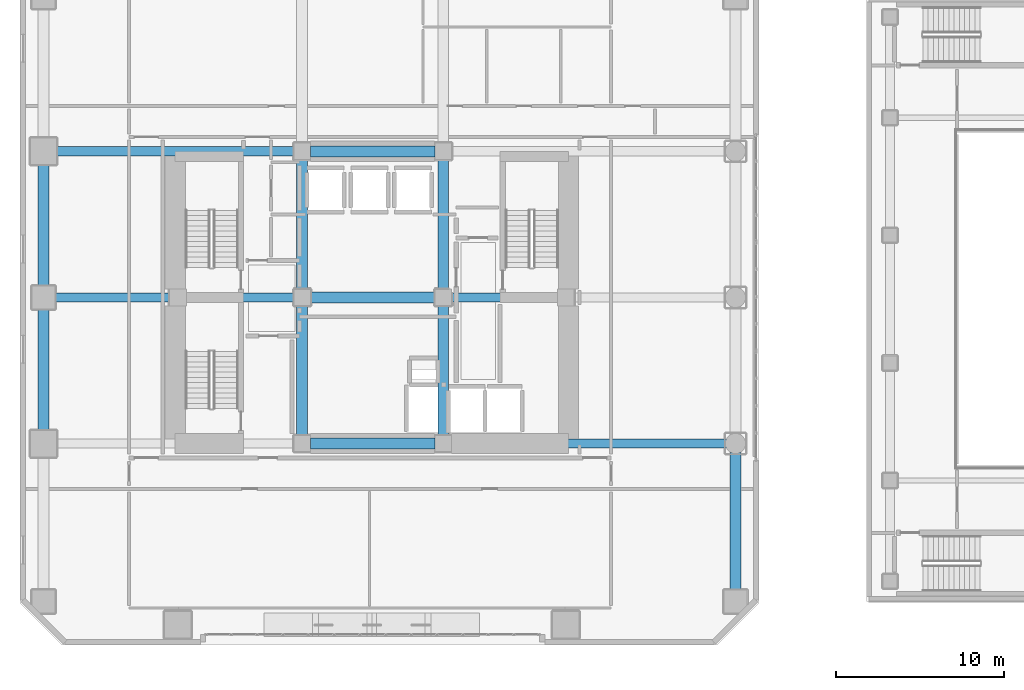
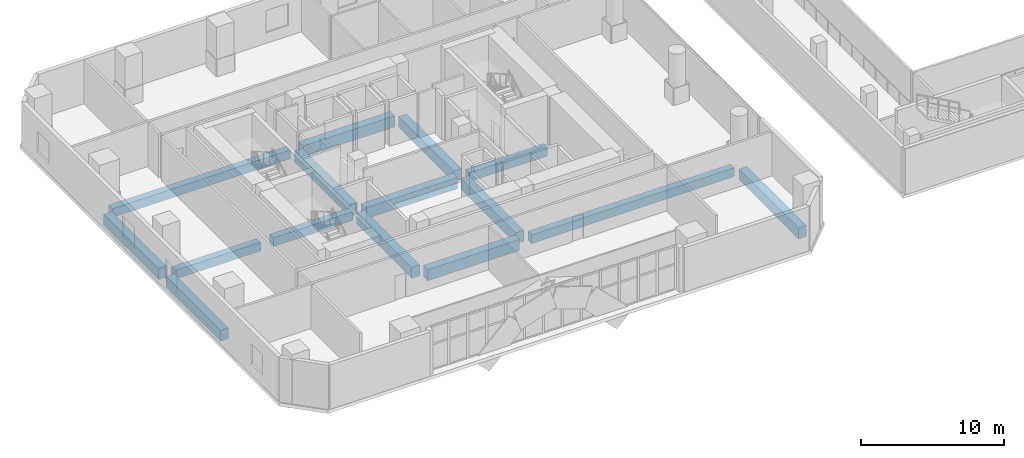
# One storey, part 6 of 22: 15 beams.
"""IFC4 building model written with IfcOpenShell, lengths in metres."""

from ifc_helpers import new_model, si_unit, direction, frame, origin, origin_2d, place, context, subcontext, project, spatial, rectangle, extrude, material, material_profile, profile_set, type_object, element, save


model = new_model("IFC4")

# Units and contexts
model_context = context("Model", 3, precision=1e-05, world=origin(), true_north=direction((0.0, 1.0)))
body_context = subcontext(model_context, "Body", "Model", "MODEL_VIEW")
ifc_project = project(units=[si_unit("LENGTHUNIT", "METRE"), si_unit("AREAUNIT", "SQUARE_METRE"), si_unit("VOLUMEUNIT", "CUBIC_METRE"), si_unit("PLANEANGLEUNIT", "RADIAN"), si_unit("MASSUNIT", "GRAM", prefix="KILO")], contexts=[model_context])

# Site, building, storey
site_placement = place(None, origin())
site = spatial("IfcSite", under=ifc_project, at=site_placement, CompositionType="ELEMENT")
building_placement = place(site_placement, origin())
building = spatial("IfcBuilding", under=site, at=building_placement, Name="Solanera Arch Residences", CompositionType="ELEMENT")
storey_placement = place(building_placement, frame((0.0, 0.0, 13.60009765625)))
storey = spatial("IfcBuildingStorey", under=building, at=storey_placement, Name="L03", CompositionType="ELEMENT", Elevation=13.60009765625)

# Beams
ifc_material_1 = material(Name="Concrete C40/50 (f'c = 45 MPa)", Category="concrete")
ifc_material_profile_1 = material_profile(ifc_material_1, rectangle(XDim=0.550048828125, YDim=0.75, at=origin_2d()))
ifc_profile_set_1 = profile_set([ifc_material_profile_1], Name="Concrete C40/50 (f'c = 45 MPa)")
beam_type_1 = type_object("IfcBeamType", Name="Primary Beam RC-BM-550X750", PredefinedType="BEAM", material=ifc_profile_set_1)
beam_1_placement = place(storey_placement, frame((29.7041015625, 22.0, -0.655029296875), z_axis=(1.0, 0.0, 0.0), x_axis=(0.0, 1.0, 0.0)))
element("IfcBeam", 1, at=beam_1_placement, inside=storey, type_object=beam_type_1, Name="BM-L03-POD-RE-22", PredefinedType="BEAM", context=body_context, shape_type="SweptSolid", body=[
    extrude(rectangle(XDim=0.550048828125, YDim=0.75, at=origin_2d()), origin(), (0.0, 0.0, 1.0), 16.35595703125),
])
beam_2_placement = place(storey_placement, frame((5.93994140625, 30.699951171875, -0.655029296875), z_axis=(1.0, 0.0, 0.0), x_axis=(0.0, 1.0, 0.0)))
element("IfcBeam", 2, at=beam_2_placement, inside=storey, type_object=beam_type_1, Name="BM-L03-POD-RW-30", PredefinedType="BEAM", context=body_context, shape_type="SweptSolid", body=[
    extrude(rectangle(XDim=0.550048828125, YDim=0.75, at=origin_2d()), origin(), (0.0, 0.0, 1.0), 6.9560546875),
])
beam_3_placement = place(storey_placement, frame((5.93994140625, 39.39990234375, -0.655029296875), z_axis=(1.0, 0.0, 0.0), x_axis=(0.0, 1.0, 0.0)))
element("IfcBeam", 3, at=beam_3_placement, inside=storey, type_object=beam_type_1, Name="BM-L03-POD-RW-39", PredefinedType="BEAM", context=body_context, shape_type="SweptSolid", body=[
    extrude(rectangle(XDim=0.550048828125, YDim=0.75, at=origin_2d()), origin(), (0.0, 0.0, 1.0), 14.35595703125),
])
beam_4_placement = place(storey_placement, frame((13.904052734375, 30.699951171875, -0.655029296875), z_axis=(1.0, 0.0, 0.0), x_axis=(0.0, 1.0, 0.0)))
element("IfcBeam", 4, at=beam_4_placement, inside=storey, type_object=beam_type_1, Name="BM-L03-HCCW", PredefinedType="BEAM", context=body_context, shape_type="SweptSolid", body=[
    extrude(rectangle(XDim=0.550048828125, YDim=0.75, at=origin_2d()), origin(), (0.0, 0.0, 1.0), 6.391845703125),
])
beam_5_placement = place(storey_placement, frame((29.7041015625, 30.699951171875, -0.655029296875), z_axis=(1.0, 0.0, 0.0), x_axis=(0.0, 1.0, 0.0)))
element("IfcBeam", 5, at=beam_5_placement, inside=storey, type_object=beam_type_1, Name="BM-L03-HCCE", PredefinedType="BEAM", context=body_context, shape_type="SweptSolid", body=[
    extrude(rectangle(XDim=0.550048828125, YDim=0.75, at=origin_2d()), origin(), (0.0, 0.0, 1.0), 6.2919921875),
])
ifc_material_2 = material(Name="Concrete C40/50 (f'c = 45 MPa)", Category="concrete")
ifc_material_profile_2 = material_profile(ifc_material_2, rectangle(XDim=0.64990234375, YDim=0.949951171875, at=origin_2d()))
ifc_profile_set_2 = profile_set([ifc_material_profile_2], Name="Concrete C40/50 (f'c = 45 MPa)")
beam_type_2 = type_object("IfcBeamType", Name="Primary Beam RC-BM-650X950", PredefinedType="BEAM", material=ifc_profile_set_2)
beam_6_placement = place(storey_placement, frame((5.39990234375, 22.5400390625, -0.755126953125), z_axis=(0.0, 1.0, 0.0), x_axis=(-1.0, 0.0, 0.0)))
element("IfcBeam", 6, at=beam_6_placement, inside=storey, type_object=beam_type_2, Name="BM-L03-POD-W2", PredefinedType="BEAM", context=body_context, shape_type="SweptSolid", body=[
    extrude(rectangle(XDim=0.64990234375, YDim=0.949951171875, at=origin_2d()), origin(), (0.0, 0.0, 1.0), 7.619873046875),
])
beam_7_placement = place(storey_placement, frame((5.39990234375, 31.239990234375, -0.755126953125), z_axis=(0.0, 1.0, 0.0), x_axis=(-1.0, 0.0, 0.0)))
element("IfcBeam", 7, at=beam_7_placement, inside=storey, type_object=beam_type_2, Name="BM-L03-POD-W3", PredefinedType="BEAM", context=body_context, shape_type="SweptSolid", body=[
    extrude(rectangle(XDim=0.64990234375, YDim=0.949951171875, at=origin_2d()), origin(), (0.0, 0.0, 1.0), 7.6201171875),
])
beam_8_placement = place(storey_placement, frame((46.60009765625, 13.139892578125, -0.755126953125), z_axis=(0.0, 1.0, 0.0), x_axis=(-1.0, 0.0, 0.0)))
element("IfcBeam", 8, at=beam_8_placement, inside=storey, type_object=beam_type_2, Name="BM-L03-POD-E1", PredefinedType="BEAM", context=body_context, shape_type="SweptSolid", body=[
    extrude(rectangle(XDim=0.64990234375, YDim=0.949951171875, at=origin_2d()), origin(), (0.0, 0.0, 1.0), 8.320068359375),
])
beam_9_placement = place(storey_placement, frame((20.800048828125, 22.50390625, -0.755126953125), z_axis=(0.0, 1.0, 0.0), x_axis=(-1.0, 0.0, 0.0)))
element("IfcBeam", 9, at=beam_9_placement, inside=storey, type_object=beam_type_2, Name="BM-L03-HCNS-20", PredefinedType="BEAM", context=body_context, shape_type="SweptSolid", body=[
    extrude(rectangle(XDim=0.64990234375, YDim=0.949951171875, at=origin_2d()), origin(), (0.0, 0.0, 1.0), 7.692138671875),
])
beam_10_placement = place(storey_placement, frame((20.800048828125, 31.2041015625, -0.755126953125), z_axis=(0.0, 1.0, 0.0), x_axis=(-1.0, 0.0, 0.0)))
element("IfcBeam", 10, at=beam_10_placement, inside=storey, type_object=beam_type_2, Name="BM-L03-HCNN-20", PredefinedType="BEAM", context=body_context, shape_type="SweptSolid", body=[
    extrude(rectangle(XDim=0.64990234375, YDim=0.949951171875, at=origin_2d()), origin(), (0.0, 0.0, 1.0), 7.69189453125),
])
beam_11_placement = place(storey_placement, frame((29.199951171875, 22.50390625, -0.755126953125), z_axis=(0.0, 1.0, 0.0), x_axis=(-1.0, 0.0, 0.0)))
element("IfcBeam", 11, at=beam_11_placement, inside=storey, type_object=beam_type_2, Name="BM-L03-HCNS-29", PredefinedType="BEAM", context=body_context, shape_type="SweptSolid", body=[
    extrude(rectangle(XDim=0.64990234375, YDim=0.949951171875, at=origin_2d()), origin(), (0.0, 0.0, 1.0), 7.692138671875),
])
beam_12_placement = place(storey_placement, frame((29.199951171875, 31.2041015625, -0.755126953125), z_axis=(0.0, 1.0, 0.0), x_axis=(-1.0, 0.0, 0.0)))
element("IfcBeam", 12, at=beam_12_placement, inside=storey, type_object=beam_type_2, Name="BM-L03-HCNN-29", PredefinedType="BEAM", context=body_context, shape_type="SweptSolid", body=[
    extrude(rectangle(XDim=0.64990234375, YDim=0.949951171875, at=origin_2d()), origin(), (0.0, 0.0, 1.0), 7.69189453125),
])
for number, where, z_axis, x_axis, name in (
    (13, (21.303955078125, 22.0, -0.755126953125), (1.0, 0.0, 0.0), (0.0, 1.0, 0.0), "BM-L03-HCEW-22"),
    (14, (21.303955078125, 30.699951171875, -0.755126953125), (1.0, 0.0, 0.0), (0.0, 1.0, 0.0), "BM-L03-HCEW-30"),
    (15, (21.303955078125, 39.39990234375, -0.755126953125), (1.0, 0.0, 0.0), (0.0, 1.0, 0.0), "BM-L03-HCEW-39"),
):
    element("IfcBeam", number, at=place(storey_placement, frame(where, z_axis=z_axis, x_axis=x_axis)), inside=storey, type_object=beam_type_2, Name=name, PredefinedType="BEAM", context=body_context, shape_type="SweptSolid", body=[
        extrude(rectangle(XDim=0.64990234375, YDim=0.949951171875, at=origin_2d()), origin(), (0.0, 0.0, 1.0), 7.39208984375),
    ])

save(model, "model.ifc")
